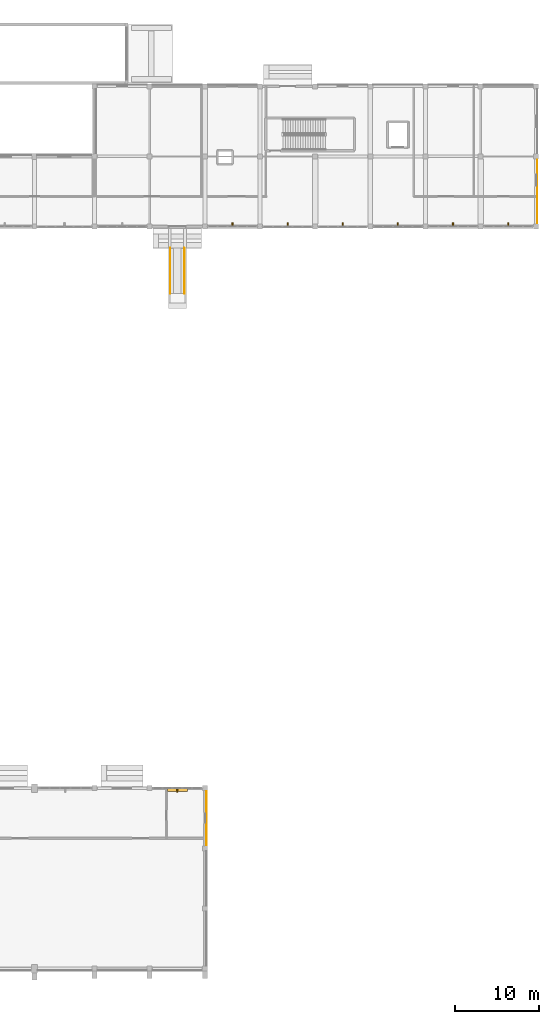
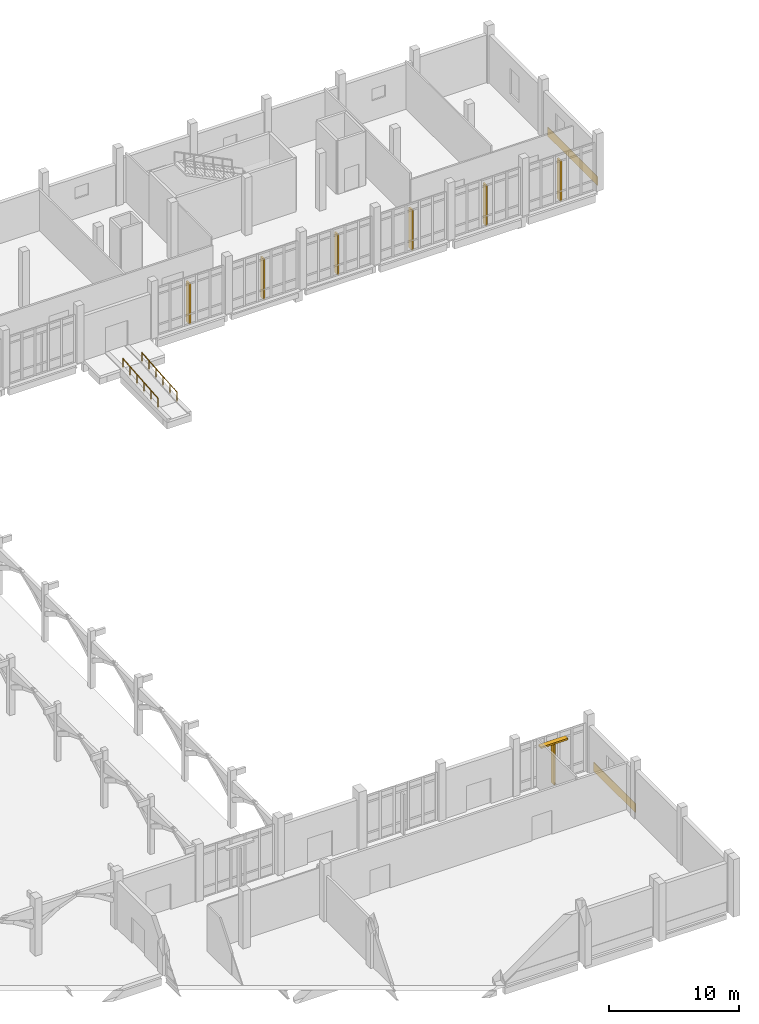
# One storey, part 109 of 110: 8 shading devices, 2 coverings, 2 railings.
"""IFC4 building model written with IfcOpenShell, lengths in metres."""

import ifcopenshell
import ifcopenshell.guid

model = None  # the IFC model being written
_history = None  # IfcOwnerHistory: only IFC2X3 demands one
_inside = {}  # id of a spatial element -> (the spatial element, [elements in it])
_under = {}  # id of a project, library or spatial element -> (it, [spatial elements below it])
_declared = {}  # id of a project -> (the project, [libraries it declares])
_typed = {}  # id of a type object -> (the type object, [elements of that type])
_made_of = {}  # id of a material, layer set ... -> (it, [elements and type objects made of it])


def new_model(schema):
    """Start an empty IFC model of exactly this schema.

    Asked for "IFC4X3", IfcOpenShell would pick the latest addendum, in which some entities
    have other attributes; the version numbers below select the first issue.
    IFC2X3 requires an IfcOwnerHistory on every rooted entity: one is made here for all.
    """
    global model, _history
    if schema == "IFC4X3":
        model = ifcopenshell.file(schema_version=(4, 3, 0, 0))
    else:
        model = ifcopenshell.file(schema=schema)
    _inside.clear()
    _under.clear()
    _declared.clear()
    _typed.clear()
    _made_of.clear()
    _history = None
    if model.schema == "IFC2X3":
        org = make("IfcOrganization", Name="unknown")
        user = make(
            "IfcPersonAndOrganization",
            ThePerson=make("IfcPerson", FamilyName="unknown"),
            TheOrganization=org,
        )
        app = make(
            "IfcApplication",
            ApplicationDeveloper=org,
            Version="unknown",
            ApplicationFullName="unknown",
            ApplicationIdentifier="unknown",
        )
        _history = make(
            "IfcOwnerHistory",
            OwningUser=user,
            OwningApplication=app,
            ChangeAction="ADDED",
            CreationDate=0,
        )
    return model


def make(cls, **values):
    """One entity of the class cls with the attributes given. An attribute that is None is left unset."""
    return model.create_entity(
        cls, **{name: value for name, value in values.items() if value is not None}
    )


def rooted(cls, **values):
    """An entity with a GlobalId (a new one), such as an element, a storey or a relation."""
    return make(cls, GlobalId=ifcopenshell.guid.new(), OwnerHistory=_history, **values)


def si_unit(unit_type, name, prefix=None):
    """IfcSIUnit, for example si_unit("LENGTHUNIT", "METRE", prefix="MILLI")."""
    return make("IfcSIUnit", UnitType=unit_type, Prefix=prefix, Name=name)


def assignment(units):
    """IfcUnitAssignment: the units of a project."""
    return None if units is None else make("IfcUnitAssignment", Units=units)


def point(xyz):
    """IfcCartesianPoint."""
    return None if xyz is None else make("IfcCartesianPoint", Coordinates=xyz)


def direction(xyz):
    """IfcDirection."""
    return None if xyz is None else make("IfcDirection", DirectionRatios=xyz)


def frame(location, z_axis=None, x_axis=None):
    """IfcAxis2Placement3D, a coordinate frame: its origin and axes. An axis left out is left unset."""
    return make(
        "IfcAxis2Placement3D",
        Location=point(location),
        Axis=direction(z_axis),
        RefDirection=direction(x_axis),
    )


def frame_2d(location, x_axis=None):
    """IfcAxis2Placement2D, a coordinate frame in the plane: its origin and x axis."""
    return make(
        "IfcAxis2Placement2D", Location=point(location), RefDirection=direction(x_axis)
    )


def origin():
    """The frame at (0, 0, 0) with its axes left unset."""
    return frame((0.0, 0.0, 0.0))


def origin_2d():
    """The frame at (0, 0) in the plane with its x axis left unset."""
    return frame_2d((0.0, 0.0))


def place(relative_to, where):
    """IfcLocalPlacement: puts the frame where relative to a parent placement (None: the world)."""
    return make(
        "IfcLocalPlacement", PlacementRelTo=relative_to, RelativePlacement=where
    )


def context(
    kind, dimensions, precision=None, world=None, true_north=None, identifier=None
):
    """IfcGeometricRepresentationContext, for example the 3D "Model" context."""
    return make(
        "IfcGeometricRepresentationContext",
        ContextIdentifier=identifier,
        ContextType=kind,
        CoordinateSpaceDimension=dimensions,
        Precision=precision,
        WorldCoordinateSystem=world,
        TrueNorth=true_north,
    )


def subcontext(parent, identifier, kind, view, scale=None):
    """IfcGeometricRepresentationSubContext, for example "Body" below "Model"."""
    return make(
        "IfcGeometricRepresentationSubContext",
        ContextIdentifier=identifier,
        ContextType=kind,
        ParentContext=parent,
        TargetScale=scale,
        TargetView=view,
    )


def project(units=None, contexts=None):
    """IfcProject with its units and contexts."""
    return rooted(
        "IfcProject",
        Name="project",
        RepresentationContexts=contexts,
        UnitsInContext=assignment(units),
    )


def spatial(cls, under=None, at=None, **own):
    """A site, building, storey or space (cls), placed at a placement, below another one or the project."""
    s = rooted(cls, ObjectPlacement=at, **own)
    if under is not None:
        _under.setdefault(under.id(), (under, []))[1].append(s)
    return s


def profile(cls, at=None, kind="AREA", **sizes):
    """A parametric profile (cls). Its sizes go by their IFC names, for example OverallWidth=200.0."""
    return make(cls, ProfileType=kind, Position=at, **sizes)


def rectangle(**sizes):
    """IfcRectangleProfileDef."""
    return profile("IfcRectangleProfileDef", **sizes)


def circle(**sizes):
    """IfcCircleProfileDef."""
    return profile("IfcCircleProfileDef", **sizes)


def extrude(swept, where, along, depth):
    """IfcExtrudedAreaSolid: the profile swept, set in the frame where, extruded along a direction by depth."""
    return make(
        "IfcExtrudedAreaSolid",
        SweptArea=swept,
        Position=where,
        ExtrudedDirection=direction(along),
        Depth=depth,
    )


def shape(context_of_items, identifier, shape_type, items):
    """IfcShapeRepresentation: the items that make up one representation, for example the "Body"."""
    return make(
        "IfcShapeRepresentation",
        ContextOfItems=context_of_items,
        RepresentationIdentifier=identifier,
        RepresentationType=shape_type,
        Items=items,
    )


def material(Name=None, Category=None):
    """IfcMaterial."""
    return make("IfcMaterial", Name=Name, Category=Category)


def layer(
    of_material, thickness, ventilated=None, Name=None, Category=None, Priority=None
):
    """IfcMaterialLayer: one layer of a wall or slab, of a material (None: an air gap)."""
    return make(
        "IfcMaterialLayer",
        Material=of_material,
        LayerThickness=thickness,
        IsVentilated=ventilated,
        Name=Name,
        Category=Category,
        Priority=Priority,
    )


def layer_set(layers, Name=None):
    """IfcMaterialLayerSet."""
    return make("IfcMaterialLayerSet", MaterialLayers=layers, LayerSetName=Name)


def made_of(thing, what):
    """Note that an element or type object is made of a material, layer set ...; save() writes the relation."""
    if what is not None:
        _made_of.setdefault(what.id(), (what, []))[1].append(thing)
    return thing


def type_object(cls, material=None, **own):
    """A type object (cls), such as IfcWallType, which elements share."""
    return made_of(rooted(cls, **own), material)


def element(
    cls,
    number,
    at=None,
    inside=None,
    cuts=None,
    type_object=None,
    material=None,
    context=None,
    identifier="Body",
    shape_type=None,
    held_by="IfcProductDefinitionShape",
    body=None,
    shapes=None,
    **own,
):
    """One element of the class cls, such as IfcWall. Its Tag is "e" and its number.

    at: its placement. inside: the storey or other place that contains it. cuts: it is an
    opening in that element (IfcRelVoidsElement). A single representation is given by context,
    identifier, shape_type and body (its items); several are given by shapes. held_by: the class
    of the entity that holds the representations. save() writes the other relations.
    """
    e = rooted(cls, Tag="e%d" % number, ObjectPlacement=at, **own)
    if body is not None:
        shapes = [shape(context, identifier, shape_type, body)]
    if shapes is not None:
        e.Representation = make(held_by, Representations=shapes)
    if inside is not None:
        _inside.setdefault(inside.id(), (inside, []))[1].append(e)
    if cuts is not None:
        rooted(
            "IfcRelVoidsElement", RelatingBuildingElement=cuts, RelatedOpeningElement=e
        )
    if type_object is not None:
        _typed.setdefault(type_object.id(), (type_object, []))[1].append(e)
    return made_of(e, material)


def aggregate(whole, parts):
    """IfcRelAggregates: a whole, such as a stair, and the parts it consists of."""
    return rooted("IfcRelAggregates", RelatingObject=whole, RelatedObjects=parts)


def save(model, path):
    """Write the relations noted so far, then the file.

    IfcRelAggregates (storeys below a building ...), IfcRelContainedInSpatialStructure (elements
    in a storey), IfcRelDefinesByType, IfcRelAssociatesMaterial and IfcRelDeclares: one each for
    every whole, place, type object, material and project.
    """
    for whole, parts in _under.values():
        aggregate(whole, parts)
    for where, things in _inside.values():
        rooted(
            "IfcRelContainedInSpatialStructure",
            RelatedElements=things,
            RelatingStructure=where,
        )
    for kind, things in _typed.values():
        rooted("IfcRelDefinesByType", RelatedObjects=things, RelatingType=kind)
    for what, things in _made_of.values():
        rooted("IfcRelAssociatesMaterial", RelatedObjects=things, RelatingMaterial=what)
    for by, libraries in _declared.values():
        rooted("IfcRelDeclares", RelatingContext=by, RelatedDefinitions=libraries)
    model.write(path)


model = new_model("IFC4")

# Units and contexts
model_context = context("Model", 3, precision=1e-05, world=origin(), true_north=direction((0.0, 1.0)))
body_context = subcontext(model_context, "Body", "Model", "MODEL_VIEW")
ifc_project = project(units=[si_unit("LENGTHUNIT", "METRE"), si_unit("AREAUNIT", "SQUARE_METRE"), si_unit("VOLUMEUNIT", "CUBIC_METRE"), si_unit("PLANEANGLEUNIT", "RADIAN"), si_unit("MASSUNIT", "GRAM", prefix="KILO")], contexts=[model_context])

# Site, building, storey
site_placement = place(None, origin())
site = spatial("IfcSite", under=ifc_project, at=site_placement, CompositionType="ELEMENT")
building_placement = place(site_placement, origin())
building = spatial("IfcBuilding", under=site, at=building_placement, Name="Kalluvel Institute of Natural Sciences", CompositionType="ELEMENT")
storey_placement = place(building_placement, origin())
storey = spatial("IfcBuildingStorey", under=building, at=storey_placement, Name="L00", CompositionType="ELEMENT", Elevation=0.0)

# Coverings
ifc_material_1 = material(Name="Sadarahalli Grey Granite Ashlar Concrete M40", Category="masonry")
ifc_layer = layer(ifc_material_1, 0.044921875)
ifc_layer_set = layer_set([ifc_layer], Name="Sadarahalli Grey Granite Ashlar Concrete M40")
covering_type = type_object("IfcCoveringType", Name="COV-CLAD-STONE", PredefinedType="CLADDING", material=ifc_layer_set)
covering_1_placement = place(storey_placement, frame((182.179931640625, 107.0, 0.02490234375), z_axis=(0.0, 0.0, 1.0), x_axis=(0.0, 1.0, 0.0)))
element("IfcCovering", 1, at=covering_1_placement, inside=storey, type_object=covering_type, Name="L00 Sadarahalli granite plinth spandrel cladding 345", PredefinedType="CLADDING", context=body_context, shape_type="SweptSolid", body=[
    extrude(rectangle(XDim=7.639892578125, YDim=0.044921875, at=origin_2d()), origin(), (0.0, 0.0, 1.0), 0.85009765625),
])
covering_2_placement = place(storey_placement, frame((142.60009765625, 32.0, 0.02490234375), z_axis=(0.0, 0.0, 1.0), x_axis=(0.0, 1.0, 0.0)))
element("IfcCovering", 2, at=covering_2_placement, inside=storey, type_object=covering_type, Name="L00 Sadarahalli granite plinth spandrel cladding 367", PredefinedType="CLADDING", context=body_context, shape_type="SweptSolid", body=[
    extrude(rectangle(XDim=6.47998046875, YDim=0.044921875, at=origin_2d()), origin(), (0.0, 0.0, 1.0), 0.85009765625),
])

# Railings
ifc_material_2 = material(Name="Galvanized Fire-Rated Steel", Category="steel")
railing_type = type_object("IfcRailingType", Name="RL-HR-RAMP", PredefinedType="HANDRAIL", material=ifc_material_2)
for number, where, name in (
    (3, (139.93994140625, 94.800048828125, -0.449951171875), "R4 accessible ramp handrail 1"),
    (4, (138.260009765625, 94.800048828125, -0.449951171875), "R4 accessible ramp handrail 2"),
):
    element("IfcRailing", number, at=place(storey_placement, frame(where)), inside=storey, type_object=railing_type, Name=name, PredefinedType="HANDRAIL", context=body_context, shape_type="SweptSolid", body=[
        extrude(circle(Radius=0.02392578125, at=origin_2d()), frame((0.0, 0.0, 0.89599609375), z_axis=(0.0, 0.996584278396, 0.082581935393), x_axis=(-1.0, 0.0, 0.0)), (0.0, 0.0, 1.0), 5.448486328125),
        extrude(circle(Radius=0.02099609375, at=origin_2d()), origin(), (0.0, 0.0, 1.0), 0.871826171875),
        extrude(circle(Radius=0.02099609375, at=origin_2d()), frame((0.0, 1.0859375, 0.090087890625)), (0.0, 0.0, 1.0), 0.871826171875),
        extrude(circle(Radius=0.02099609375, at=origin_2d()), frame((0.0, 2.171875, 0.179931640625)), (0.0, 0.0, 1.0), 0.871826171875),
        extrude(circle(Radius=0.02099609375, at=origin_2d()), frame((0.0, 3.258056640625, 0.27001953125)), (0.0, 0.0, 1.0), 0.871826171875),
        extrude(circle(Radius=0.02099609375, at=origin_2d()), frame((0.0, 4.343994140625, 0.35986328125)), (0.0, 0.0, 1.0), 0.871826171875),
        extrude(circle(Radius=0.02099609375, at=origin_2d()), frame((0.0, 5.429931640625, 0.449951171875)), (0.0, 0.0, 1.0), 0.871826171875),
    ])

# Shading devices
shading_device_type_1 = type_object("IfcShadingDeviceType", Name="SHD-FIN-STONE", PredefinedType="USERDEFINED", material=ifc_material_1)
for number, where, z_axis, x_axis, name in (
    (5, (145.699951171875, 103.02001953125, 0.0), (0.0, 0.0, 1.0), (1.0, 0.0, 0.0), "L00 monsoon lancet shading fin 244"),
    (6, (152.300048828125, 103.02001953125, 0.0), (0.0, 0.0, 1.0), (1.0, 0.0, 0.0), "L00 monsoon lancet shading fin 245"),
    (7, (158.89990234375, 103.02001953125, 0.0), (0.0, 0.0, 1.0), (1.0, 0.0, 0.0), "L00 monsoon lancet shading fin 246"),
    (8, (165.5, 103.02001953125, 0.0), (0.0, 0.0, 1.0), (1.0, 0.0, 0.0), "L00 monsoon lancet shading fin 247"),
    (9, (172.10009765625, 103.02001953125, 0.0), (0.0, 0.0, 1.0), (1.0, 0.0, 0.0), "L00 monsoon lancet shading fin 248"),
    (10, (178.699951171875, 103.02001953125, 0.0), (0.0, 0.0, 1.0), (1.0, 0.0, 0.0), "L00 monsoon lancet shading fin 249"),
    (11, (139.10009765625, 35.3798828125, 0.0), (0.0, 0.0, 1.0), (1.0, 0.0, 0.0), "L00 monsoon lancet shading fin 261"),
):
    element("IfcShadingDevice", number, at=place(storey_placement, frame(where, z_axis=z_axis, x_axis=x_axis)), inside=storey, type_object=shading_device_type_1, Name=name, ObjectType="MONSOON FIN", PredefinedType="USERDEFINED", context=body_context, shape_type="SweptSolid", body=[
        extrude(rectangle(XDim=0.139892578125, YDim=0.47998046875, at=origin_2d()), origin(), (0.0, 0.0, 1.0), 3.800048828125),
    ])
ifc_material_3 = material(Name="Aluminium AW-6063 T6", Category="aluminium")
shading_device_type_2 = type_object("IfcShadingDeviceType", Name="SHD-LOUV-ALU", PredefinedType="JALOUSIE", material=ifc_material_3)
shading_device_placement = place(storey_placement, frame((139.10009765625, 35.39990234375, 3.77001953125), z_axis=(0.0, 0.0, 1.0), x_axis=(1.0, 0.0, 0.0)))
element("IfcShadingDevice", 12, at=shading_device_placement, inside=storey, type_object=shading_device_type_2, Name="L00 aluminium sun-shading louvre 262", PredefinedType="JALOUSIE", context=body_context, shape_type="SweptSolid", body=[
    extrude(rectangle(XDim=2.39990234375, YDim=0.419921875, at=origin_2d()), origin(), (0.0, 0.0, 1.0), 0.159912109375),
])

save(model, "model.ifc")
